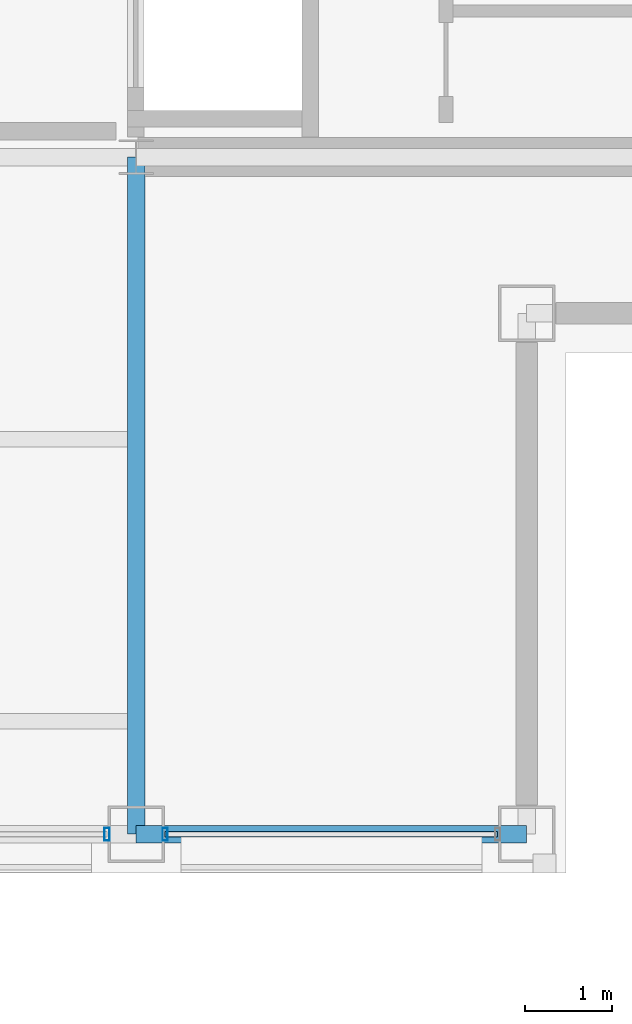
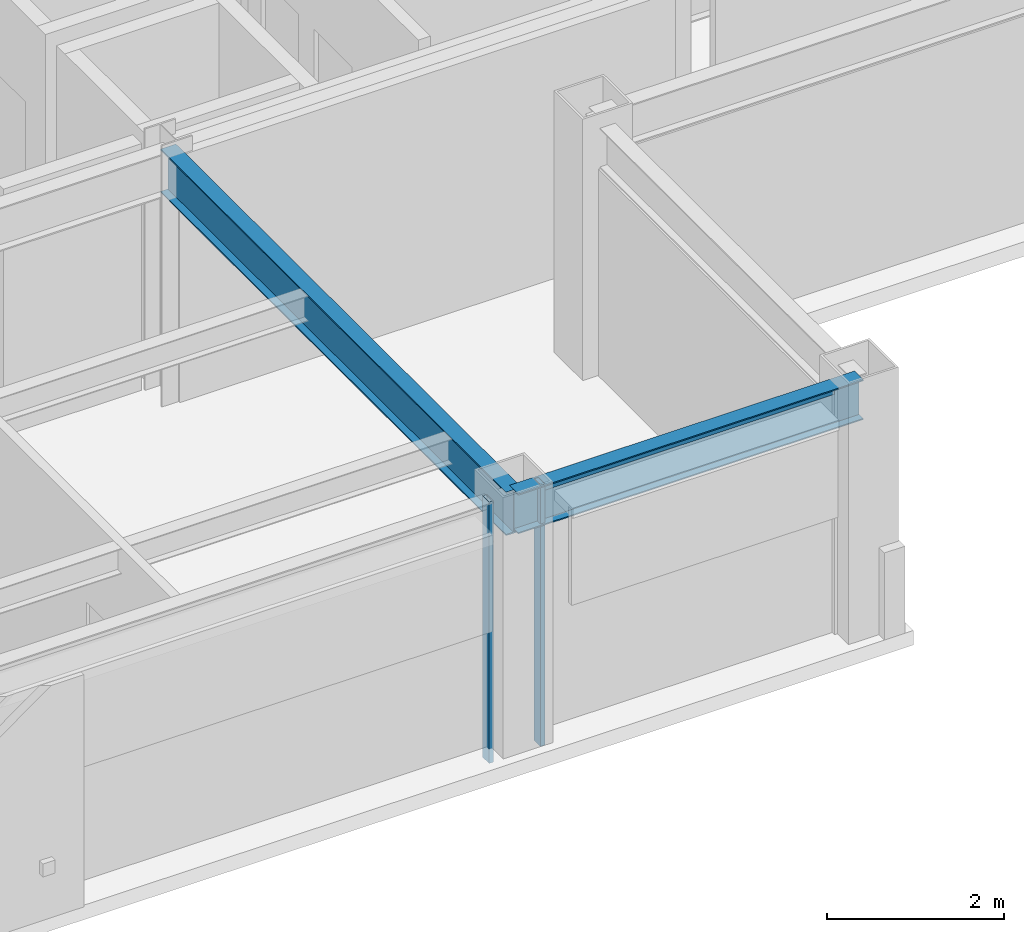
# One storey, part 5 of 20: 3 members, 2 beams, 2 elements without a shape of their own.
"""IFC4 building model written with IfcOpenShell, lengths in metres."""

from ifc_helpers import new_model, si_unit, direction, frame, origin, origin_2d, place, context, subcontext, project, spatial, hollow_rectangle, i_section, extrude, material, layer, layer_set, material_profile, profile_set, type_object, element, aggregate, save


model = new_model("IFC4")

# Units and contexts
model_context = context("Model", 3, precision=1e-05, world=origin(), true_north=direction((0.0, 1.0)))
body_context = subcontext(model_context, "Body", "Model", "MODEL_VIEW")
ifc_project = project(units=[si_unit("LENGTHUNIT", "METRE"), si_unit("AREAUNIT", "SQUARE_METRE"), si_unit("VOLUMEUNIT", "CUBIC_METRE"), si_unit("PLANEANGLEUNIT", "RADIAN"), si_unit("MASSUNIT", "GRAM", prefix="KILO")], contexts=[model_context])

# Site, building, storey
site_placement = place(None, origin())
site = spatial("IfcSite", under=ifc_project, at=site_placement, CompositionType="ELEMENT")
building_placement = place(site_placement, origin())
building = spatial("IfcBuilding", under=site, at=building_placement, Name="Brelmoor Portico Tower", CompositionType="ELEMENT")
storey_placement = place(building_placement, frame((0.0, 0.0, 243.60009765625)))
storey = spatial("IfcBuildingStorey", under=building, at=storey_placement, Name="L64", CompositionType="ELEMENT", Elevation=243.60009765625)

# Beams
ifc_material_1 = material(Name="Steel Q355B", Category="steel")
ifc_material_profile_1 = material_profile(ifc_material_1, i_section(OverallWidth=0.199951171875, OverallDepth=0.60009765625, WebThickness=0.010986328125, FlangeThickness=0.01708984375, at=origin_2d()), Name="HN 600x200x11x17")
ifc_profile_set_1 = profile_set([ifc_material_profile_1], Name="Steel Q355B")
beam_type_1 = type_object("IfcBeamType", Name="BM-PG-600", PredefinedType="BEAM", material=ifc_profile_set_1)
beam_1_placement = place(storey_placement, frame((8.050048828125, -17.550048828125, 3.099853515625), z_axis=(0.0, 1.0, 0.0), x_axis=(-1.0, 0.0, 0.0)))
element("IfcBeam", 1, at=beam_1_placement, inside=storey, type_object=beam_type_1, Name="L64 Primary Floor Girder PG-06", PredefinedType="BEAM", context=body_context, shape_type="SweptSolid", body=[
    extrude(i_section(OverallWidth=0.199951171875, OverallDepth=0.60009765625, WebThickness=0.010986328125, FlangeThickness=0.01708984375, at=origin_2d()), origin(), (0.0, 0.0, 1.0), 7.800048828125),
])
ifc_material_profile_2 = material_profile(ifc_material_1, i_section(OverallWidth=0.199951171875, OverallDepth=0.550048828125, WebThickness=0.010009765625, FlangeThickness=0.01611328125, at=origin_2d()), Name="HN 550x200x10x16")
ifc_profile_set_2 = profile_set([ifc_material_profile_2], Name="Steel Q355B")
beam_type_2 = type_object("IfcBeamType", Name="BM-SP-550", PredefinedType="SPANDREL", material=ifc_profile_set_2)
beam_2_placement = place(storey_placement, frame((8.050048828125, -17.550048828125, 3.125), z_axis=(1.0, 0.0, 0.0), x_axis=(0.0, 1.0, 0.0)))
element("IfcBeam", 2, at=beam_2_placement, inside=storey, type_object=beam_type_2, Name="L64 Perimeter Spandrel Beam SP-03", PredefinedType="SPANDREL", context=body_context, shape_type="SweptSolid", body=[
    extrude(i_section(OverallWidth=0.199951171875, OverallDepth=0.550048828125, WebThickness=0.010009765625, FlangeThickness=0.01611328125, at=origin_2d()), origin(), (0.0, 0.0, 1.0), 4.5),
])

# Curtain wall, member
ifc_material_2 = material(Name="Anodised Aluminium Alloy 6063-T6", Category="aluminium")
ifc_layer = layer(ifc_material_2, 0.179931640625)
ifc_layer_set = layer_set([ifc_layer], Name="Anodised Aluminium Alloy 6063-T6")
curtain_wall_type = type_object("IfcCurtainWallType", Name="CW-TOWER-Z4-XB", PredefinedType="NOTDEFINED", material=ifc_layer_set)
curtain_wall_1_placement = place(storey_placement, origin())
curtain_wall_1 = element("IfcCurtainWall", 3, at=curtain_wall_1_placement, inside=storey, type_object=curtain_wall_type, Name="L64 Curtain Wall CW-L64-01-2", PredefinedType="NOTDEFINED")
ifc_material_profile_3 = material_profile(ifc_material_2, hollow_rectangle(XDim=0.06005859375, YDim=0.14990234375, WallThickness=0.00390625, at=origin_2d()), Name="ALU MULLION 60x150")
ifc_profile_set_3 = profile_set([ifc_material_profile_3], Name="Anodised Aluminium Alloy 6063-T6")
member_type_1 = type_object("IfcMemberType", Name="MB-CW-MULL-150", PredefinedType="MULLION", material=ifc_profile_set_3)
member_1_placement = place(storey_placement, frame((7.715087890625, -17.550048828125, -0.2001953125), z_axis=(0.0, 0.0, 1.0), x_axis=(1.0, 0.0, 0.0)))
member_1 = element("IfcMember", 4, at=member_1_placement, type_object=member_type_1, Name="CW-L64-01-2 Mullion 01", PredefinedType="MULLION", context=body_context, shape_type="SweptSolid", body=[
    extrude(hollow_rectangle(XDim=0.06005859375, YDim=0.14990234375, WallThickness=0.00390625, at=origin_2d()), origin(), (0.0, 0.0, 1.0), 3.60009765625),
])
aggregate(curtain_wall_1, [member_1])

# Curtain wall, members
curtain_wall_2_placement = place(storey_placement, origin())
curtain_wall_2 = element("IfcCurtainWall", 5, at=curtain_wall_2_placement, inside=storey, type_object=curtain_wall_type, Name="L64 Curtain Wall CW-L64-01-3", PredefinedType="NOTDEFINED")
member_2_placement = place(storey_placement, frame((8.385009765625, -17.550048828125, -0.2001953125), z_axis=(0.0, 0.0, 1.0), x_axis=(1.0, 0.0, 0.0)))
member_2 = element("IfcMember", 6, at=member_2_placement, type_object=member_type_1, Name="CW-L64-01-3 Mullion 00", PredefinedType="MULLION", context=body_context, shape_type="SweptSolid", body=[
    extrude(hollow_rectangle(XDim=0.06005859375, YDim=0.14990234375, WallThickness=0.00390625, at=origin_2d()), origin(), (0.0, 0.0, 1.0), 3.60009765625),
])
ifc_material_profile_4 = material_profile(ifc_material_2, hollow_rectangle(XDim=0.06005859375, YDim=0.125, WallThickness=0.00341796875, at=origin_2d()), Name="ALU TRANSOM 60x125")
ifc_profile_set_4 = profile_set([ifc_material_profile_4], Name="Anodised Aluminium Alloy 6063-T6")
member_type_2 = type_object("IfcMemberType", Name="MB-CW-TRAN-125", PredefinedType="USERDEFINED", material=ifc_profile_set_4)
member_3_placement = place(storey_placement, frame((8.385009765625, -17.550048828125, 3.33740234375), z_axis=(1.0, 0.0, 0.0), x_axis=(0.0, 1.0, 0.0)))
member_3 = element("IfcMember", 7, at=member_3_placement, type_object=member_type_2, Name="CW-L64-01-3 Transom 1-00", ObjectType="TRANSOM", PredefinedType="USERDEFINED", context=body_context, shape_type="SweptSolid", body=[
    extrude(hollow_rectangle(XDim=0.06005859375, YDim=0.125, WallThickness=0.00341796875, at=origin_2d()), origin(), (0.0, 0.0, 1.0), 3.830078125),
])
aggregate(curtain_wall_2, [member_2, member_3])

save(model, "model.ifc")
